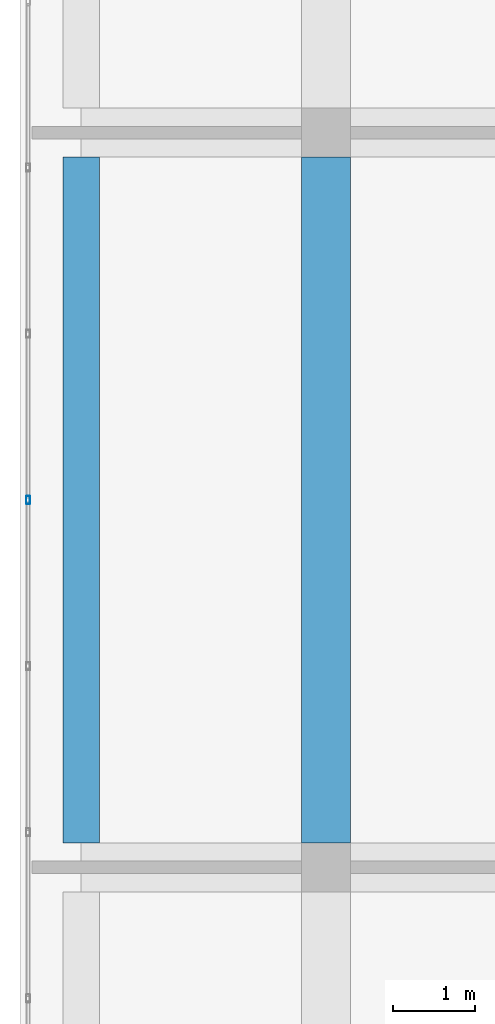
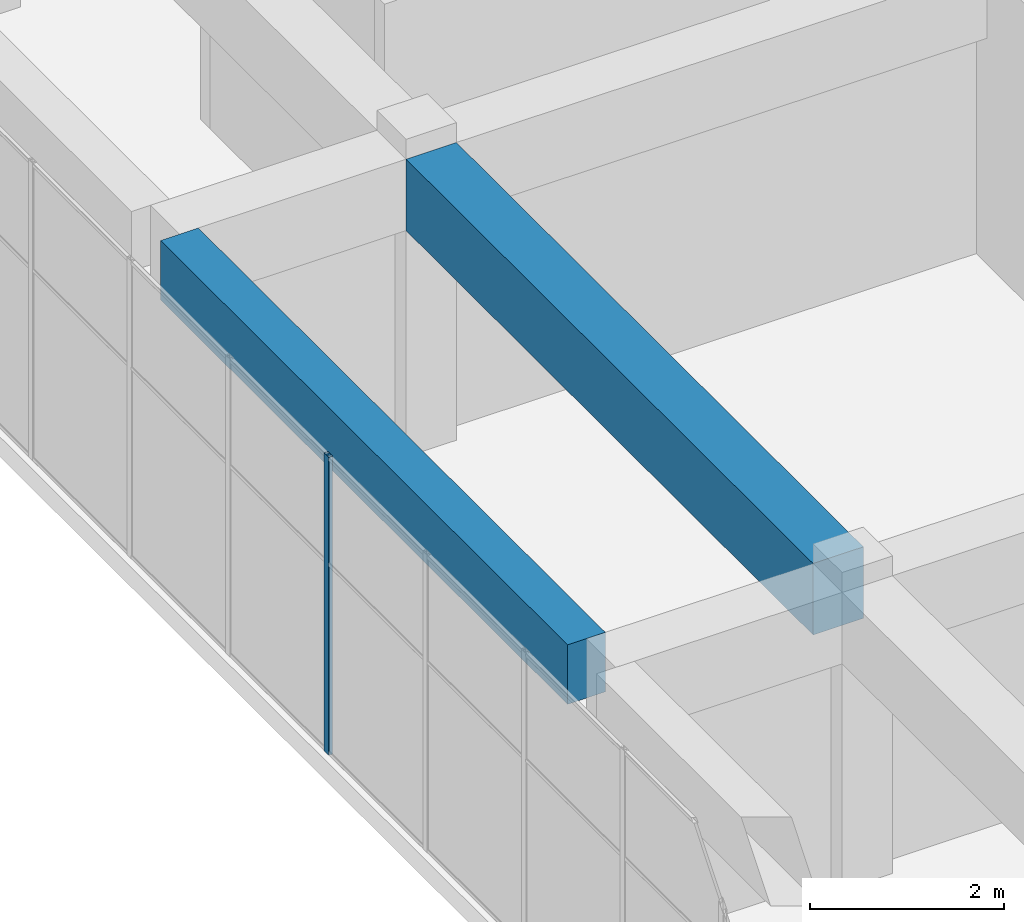
# One storey, part 11 of 35: 2 beams, 1 member, 1 element without a shape of its own.
"""IFC4 building model written with IfcOpenShell, lengths in metres."""

from ifc_helpers import new_model, si_unit, direction, frame, origin, origin_2d, place, context, subcontext, project, spatial, rectangle, hollow_rectangle, extrude, material, layer, layer_set, material_profile, profile_set, type_object, element, aggregate, save


model = new_model("IFC4")

# Units and contexts
model_context = context("Model", 3, precision=1e-05, world=origin(), true_north=direction((0.0, 1.0)))
body_context = subcontext(model_context, "Body", "Model", "MODEL_VIEW")
ifc_project = project(units=[si_unit("LENGTHUNIT", "METRE"), si_unit("AREAUNIT", "SQUARE_METRE"), si_unit("VOLUMEUNIT", "CUBIC_METRE"), si_unit("PLANEANGLEUNIT", "RADIAN"), si_unit("MASSUNIT", "GRAM", prefix="KILO")], contexts=[model_context])

# Site, building, storey
site_placement = place(None, origin())
site = spatial("IfcSite", under=ifc_project, at=site_placement, CompositionType="ELEMENT")
building_placement = place(site_placement, origin())
building = spatial("IfcBuilding", under=site, at=building_placement, Name="Tuart Plaza Theatre", CompositionType="ELEMENT")
storey_placement = place(building_placement, frame((0.0, 0.0, 45.5)))
storey = spatial("IfcBuildingStorey", under=building, at=storey_placement, Name="L11", CompositionType="ELEMENT", Elevation=45.5)

# Beams
ifc_material_1 = material(Name="Concrete N40 (40 MPa)", Category="concrete")
ifc_material_profile_1 = material_profile(ifc_material_1, rectangle(XDim=0.449951171875, YDim=0.75, at=origin_2d()), Name="BEAM 450x750 Concrete N40 (40 MPa)")
ifc_profile_set_1 = profile_set([ifc_material_profile_1], Name="Concrete N40 (40 MPa)")
beam_type_1 = type_object("IfcBeamType", Name="BEAM 450x750 Concrete N40 (40 MPa)", PredefinedType="BEAM", material=ifc_profile_set_1)
beam_1_placement = place(storey_placement, frame((111.0, 74.300048828125, 3.375), z_axis=(0.0, 1.0, 0.0), x_axis=(-1.0, 0.0, 0.0)))
element("IfcBeam", 1, at=beam_1_placement, inside=storey, type_object=beam_type_1, Name="RB284", PredefinedType="BEAM", context=body_context, shape_type="SweptSolid", body=[
    extrude(rectangle(XDim=0.449951171875, YDim=0.75, at=origin_2d()), origin(), (0.0, 0.0, 1.0), 8.39990234375),
])
ifc_material_2 = material(Name="Concrete N40 (40 MPa)", Category="concrete")
ifc_material_profile_2 = material_profile(ifc_material_2, rectangle(XDim=0.60009765625, YDim=0.89990234375, at=origin_2d()), Name="BEAM 600x900 Concrete N40 (40 MPa)")
ifc_profile_set_2 = profile_set([ifc_material_profile_2], Name="Concrete N40 (40 MPa)")
beam_type_2 = type_object("IfcBeamType", Name="BEAM 600x900 Concrete N40 (40 MPa)", PredefinedType="BEAM", material=ifc_profile_set_2)
beam_2_placement = place(storey_placement, frame((114.0, 74.300048828125, 3.300048828125), z_axis=(0.0, 1.0, 0.0), x_axis=(-1.0, 0.0, 0.0)))
element("IfcBeam", 2, at=beam_2_placement, inside=storey, type_object=beam_type_2, Name="RB291", PredefinedType="BEAM", context=body_context, shape_type="SweptSolid", body=[
    extrude(rectangle(XDim=0.60009765625, YDim=0.89990234375, at=origin_2d()), origin(), (0.0, 0.0, 1.0), 8.39990234375),
])

# Curtain wall, member
ifc_material_3 = material(Name="Aluminium and glass", Category="aluminium")
ifc_layer = layer(ifc_material_3, 0.10009765625)
ifc_layer_set = layer_set([ifc_layer], Name="CURTAIN WALL 2000 module")
curtain_wall_type = type_object("IfcCurtainWallType", Name="CURTAIN WALL 2000 module", PredefinedType="NOTDEFINED", material=ifc_layer_set)
curtain_wall_placement = place(storey_placement, origin())
curtain_wall = element("IfcCurtainWall", 3, at=curtain_wall_placement, inside=storey, type_object=curtain_wall_type, Name="CW106", PredefinedType="NOTDEFINED")
ifc_material_4 = material(Name="Aluminium 6063-T5", Category="aluminium")
ifc_material_profile_3 = material_profile(ifc_material_4, hollow_rectangle(XDim=0.050048828125, YDim=0.10009765625, WallThickness=0.00390625, InnerFilletRadius=0.00390625, OuterFilletRadius=0.008056640625, at=origin_2d()), Name="RHS 100x50x4")
ifc_profile_set_3 = profile_set([ifc_material_profile_3], Name="Aluminium 6063-T5")
member_type = type_object("IfcMemberType", Name="MULLION RHS 100x50x4", PredefinedType="MULLION", material=ifc_profile_set_3)
member_placement = place(storey_placement, frame((110.35009765625, 78.5, 0.0), z_axis=(0.0, 0.0, 1.0), x_axis=(1.0, 0.0, 0.0)))
member = element("IfcMember", 4, at=member_placement, type_object=member_type, Name="CW106 mullion 8", PredefinedType="MULLION", context=body_context, shape_type="SweptSolid", body=[
    extrude(hollow_rectangle(XDim=0.050048828125, YDim=0.10009765625, WallThickness=0.00390625, InnerFilletRadius=0.00390625, OuterFilletRadius=0.008056640625, at=origin_2d()), origin(), (0.0, 0.0, 1.0), 3.75),
])
aggregate(curtain_wall, [member])

save(model, "model.ifc")
